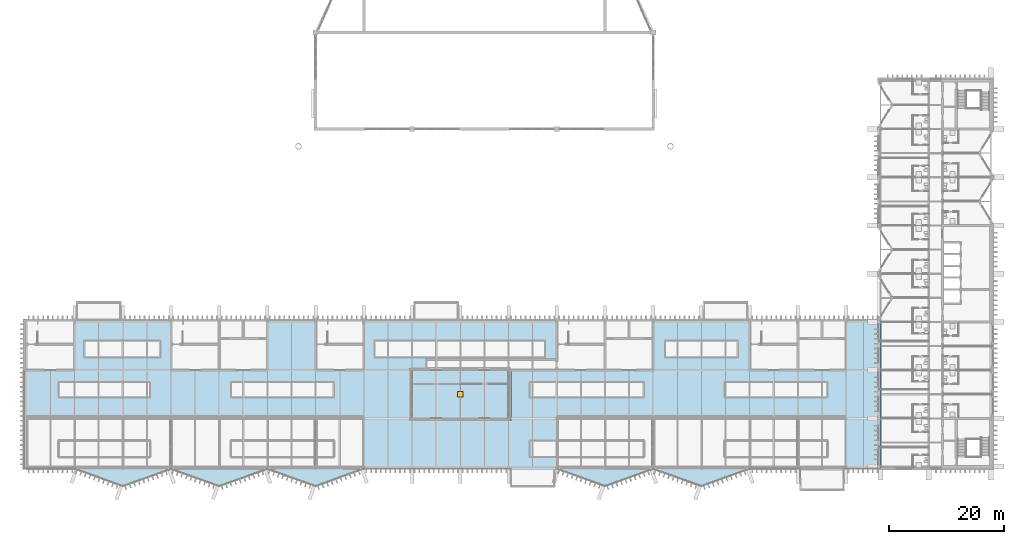
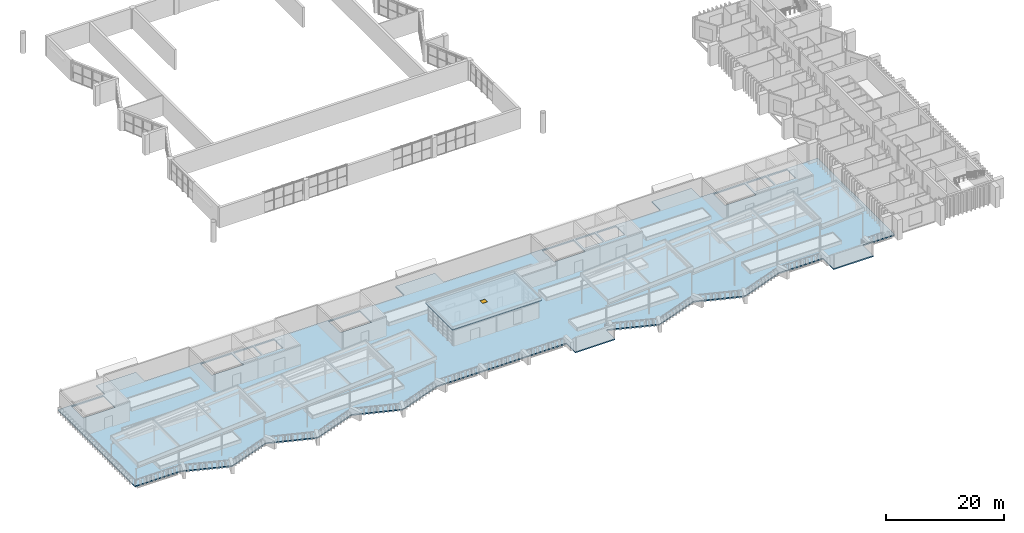
# One storey, part 28 of 51: 2 slabs, 1 door, 1 opening.
"""IFC4 building model written with IfcOpenShell, lengths in metres."""

from ifc_helpers import new_model, si_unit, direction, frame, origin, origin_2d, place, context, subcontext, project, spatial, polyline, rectangle, outline, extrude, material, layer, layer_set, type_object, element, fill, save


model = new_model("IFC4")

# Units and contexts
model_context = context("Model", 3, precision=1e-05, world=origin(), true_north=direction((0.0, 1.0)))
body_context = subcontext(model_context, "Body", "Model", "MODEL_VIEW")
ifc_project = project(units=[si_unit("LENGTHUNIT", "METRE"), si_unit("AREAUNIT", "SQUARE_METRE"), si_unit("VOLUMEUNIT", "CUBIC_METRE"), si_unit("PLANEANGLEUNIT", "RADIAN"), si_unit("MASSUNIT", "GRAM", prefix="KILO")], contexts=[model_context])

# Site, building, storey
site_placement = place(None, origin())
site = spatial("IfcSite", under=ifc_project, at=site_placement, CompositionType="ELEMENT")
building_placement = place(site_placement, origin())
building = spatial("IfcBuilding", under=site, at=building_placement, Name="Cresset Court Congress Hotel", CompositionType="ELEMENT")
storey_placement = place(building_placement, frame((0.0, 0.0, 18.60009765625)))
storey = spatial("IfcBuildingStorey", under=building, at=storey_placement, Name="L04", CompositionType="ELEMENT", Elevation=18.60009765625)

# Slab, opening, door
ifc_material_1 = material(Name="Concrete C35", Category="concrete")
ifc_layer_1 = layer(ifc_material_1, 0.199951171875)
ifc_layer_set_1 = layer_set([ifc_layer_1], Name="Pavilion roof slab 200")
slab_type_1 = type_object("IfcSlabType", Name="Pavilion roof slab 200", PredefinedType="ROOF", material=ifc_layer_set_1)
slab_1_placement = place(storey_placement, frame((0.0, 0.0, 3.599853515625)))
slab_1 = element("IfcSlab", 1, at=slab_1_placement, inside=storey, type_object=slab_type_1, Name="Pavilion roof", PredefinedType="ROOF", context=body_context, shape_type="SweptSolid", body=[
    extrude(outline(polyline([(75.199951171875, 8.0), (92.800048828125, 8.0), (92.800048828125, 17.199951171875), (75.199951171875, 17.199951171875), (75.199951171875, 8.0)])), origin(), (0.0, 0.0, 1.0), 0.199951171875),
])
opening_placement = place(slab_1_placement, frame((84.0, 12.60009765625, 0.0)))
opening = element("IfcOpeningElement", 2, at=opening_placement, cuts=slab_1, Name="Opening HB-04-01", PredefinedType="OPENING", context=body_context, shape_type="SweptSolid", body=[
    extrude(rectangle(XDim=0.89990234375, YDim=0.89990234375, at=origin_2d()), origin(), (0.0, 0.0, 1.0), 0.199951171875),
])
ifc_material_2 = material(Name="Galvanised steel", Category="steel")
door_type = type_object("IfcDoorType", Name="Roof access hatch 900x900", OperationType="SINGLE_SWING_LEFT", PredefinedType="TRAPDOOR", material=ifc_material_2)
door_placement = place(opening_placement, frame((0.0, 0.0, 0.14990234375)))
door = element("IfcDoor", 3, at=door_placement, inside=storey, type_object=door_type, Name="Roof access hatch", OperationType="SINGLE_SWING_LEFT", OverallHeight=0.89990234375, OverallWidth=0.89990234375, PredefinedType="TRAPDOOR", context=body_context, shape_type="SweptSolid", body=[
    extrude(rectangle(XDim=0.89990234375, YDim=0.89990234375, at=origin_2d()), origin(), (0.0, 0.0, 1.0), 0.050048828125),
])
fill(opening, door)

# Slab
ifc_material_3 = material(Name="Concrete C35", Category="concrete")
ifc_layer_2 = layer(ifc_material_3, 0.25)
ifc_layer_set_2 = layer_set([ifc_layer_2], Name="Roof garden composite deck slab 250")
slab_type_2 = type_object("IfcSlabType", Name="Roof garden composite deck slab 250", PredefinedType="ROOF", material=ifc_layer_set_2)
slab_2_placement = place(storey_placement, frame((0.0, 0.0, -0.25)))
element("IfcSlab", 4, at=slab_2_placement, inside=storey, type_object=slab_type_2, Name="Roof garden slab", PredefinedType="ROOF", context=body_context, shape_type="SweptSolid", body=[
    extrude(outline(polyline([(150.89990234375, -4.10009765625), (143.10009765625, -4.10009765625), (143.10009765625, -0.5), (134.39990234375, -0.5), (126.0, -3.550048828125), (117.60009765625, -0.550048828125), (109.199951171875, -3.550048828125), (100.800048828125, -0.5), (100.5, -0.5), (100.5, -3.5), (92.699951171875, -3.5), (92.699951171875, -0.5), (67.199951171875, -0.5), (58.800048828125, -3.550048828125), (50.39990234375, -0.550048828125), (42.0, -3.550048828125), (33.60009765625, -0.550048828125), (25.199951171875, -3.550048828125), (16.800048828125, -0.5), (7.89990234375, -0.5), (7.89990234375, 25.699951171875), (17.10009765625, 25.699951171875), (17.10009765625, 28.699951171875), (24.89990234375, 28.699951171875), (24.89990234375, 25.699951171875), (75.89990234375, 25.699951171875), (75.89990234375, 28.699951171875), (83.699951171875, 28.699951171875), (83.699951171875, 25.699951171875), (126.300048828125, 25.699951171875), (126.300048828125, 28.699951171875), (134.10009765625, 28.699951171875), (134.10009765625, 25.699951171875), (157.199951171875, 25.699951171875), (157.199951171875, -0.5), (150.89990234375, -0.5), (150.89990234375, -4.10009765625)]), holes=[polyline([(10.380859375, 21.449951171875), (16.64990234375, 21.449951171875), (16.64990234375, 25.39990234375), (10.380859375, 25.39990234375), (10.380859375, 21.449951171875)]), polyline([(35.70068359375, 21.449951171875), (41.85009765625, 21.449951171875), (41.85009765625, 25.39990234375), (35.70068359375, 25.39990234375), (35.70068359375, 21.449951171875)]), polyline([(60.90087890625, 21.449951171875), (67.050048828125, 21.449951171875), (67.050048828125, 25.39990234375), (60.90087890625, 25.39990234375), (60.90087890625, 21.449951171875)]), polyline([(102.90087890625, 21.449951171875), (109.050048828125, 21.449951171875), (109.050048828125, 25.39990234375), (102.90087890625, 25.39990234375), (102.90087890625, 21.449951171875)]), polyline([(136.500732421875, 21.449951171875), (142.64990234375, 21.449951171875), (142.64990234375, 25.39990234375), (136.500732421875, 25.39990234375), (136.500732421875, 21.449951171875)]), polyline([(42.199951171875, 22.449951171875), (46.050048828125, 22.449951171875), (46.050048828125, 25.39990234375), (42.199951171875, 25.39990234375), (42.199951171875, 22.449951171875)]), polyline([(46.35009765625, 22.449951171875), (50.199951171875, 22.449951171875), (50.199951171875, 25.39990234375), (46.35009765625, 25.39990234375), (46.35009765625, 22.449951171875)]), polyline([(109.39990234375, 22.449951171875), (113.25, 22.449951171875), (113.25, 25.39990234375), (109.39990234375, 25.39990234375), (109.39990234375, 22.449951171875)]), polyline([(113.550048828125, 22.449951171875), (117.39990234375, 22.449951171875), (117.39990234375, 25.39990234375), (113.550048828125, 25.39990234375), (113.550048828125, 22.449951171875)]), polyline([(143.0, 22.449951171875), (146.85009765625, 22.449951171875), (146.85009765625, 25.39990234375), (143.0, 25.39990234375), (143.0, 22.449951171875)]), polyline([(147.14990234375, 22.449951171875), (151.0, 22.449951171875), (151.0, 25.39990234375), (147.14990234375, 25.39990234375), (147.14990234375, 22.449951171875)])]), origin(), (0.0, 0.0, 1.0), 0.25),
])

save(model, "model.ifc")
